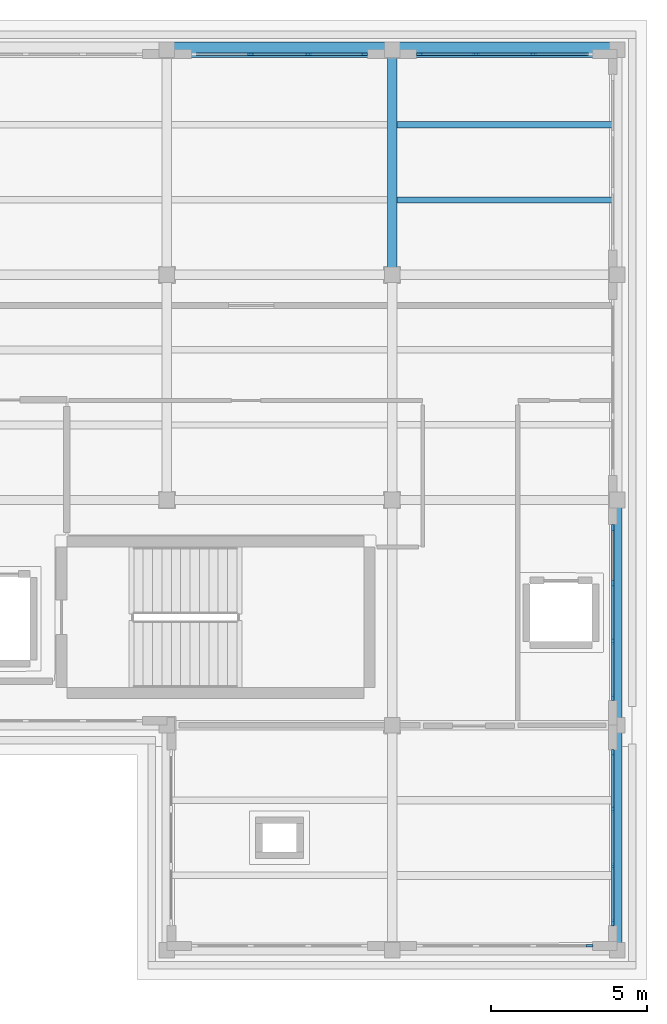
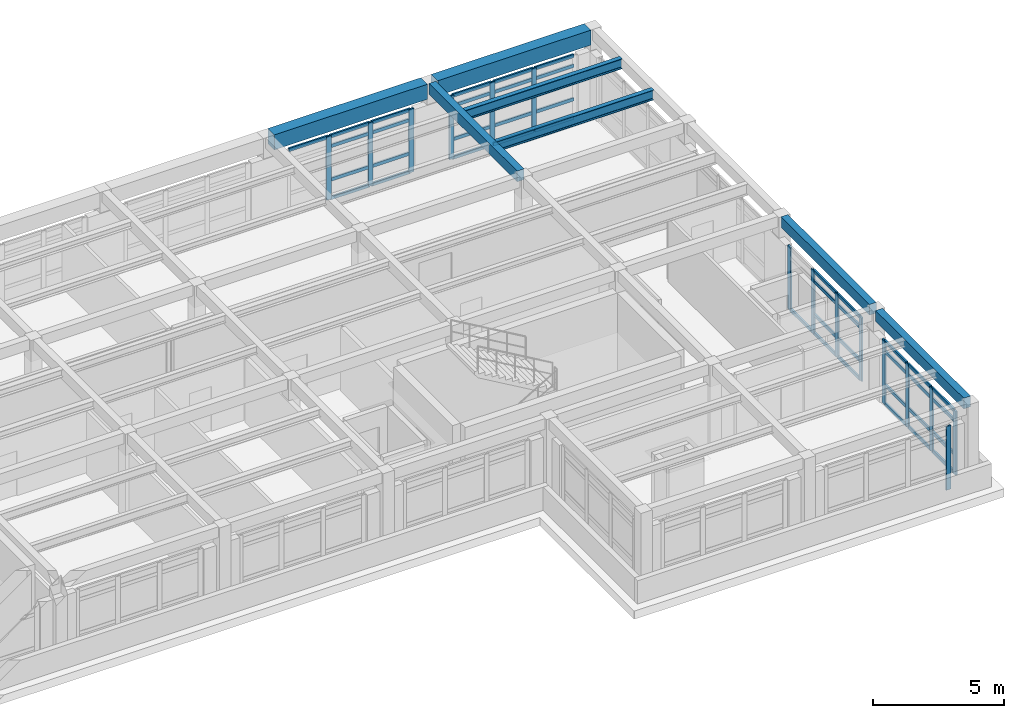
# One storey, part 8 of 18: 57 members, 7 beams, 5 elements without a shape of their own.
"""IFC4 building model written with IfcOpenShell, lengths in metres."""

from ifc_helpers import new_model, si_unit, direction, frame, origin, origin_2d, place, context, subcontext, project, spatial, rectangle, i_section, extrude, material, layer, layer_set, material_profile, profile_set, type_object, element, aggregate, save


model = new_model("IFC4")

# Units and contexts
model_context = context("Model", 3, precision=1e-05, world=origin(), true_north=direction((0.0, 1.0)))
body_context = subcontext(model_context, "Body", "Model", "MODEL_VIEW")
ifc_project = project(units=[si_unit("LENGTHUNIT", "METRE"), si_unit("AREAUNIT", "SQUARE_METRE"), si_unit("VOLUMEUNIT", "CUBIC_METRE"), si_unit("PLANEANGLEUNIT", "RADIAN"), si_unit("MASSUNIT", "GRAM", prefix="KILO")], contexts=[model_context])

# Site, building, storey
site_placement = place(None, origin())
site = spatial("IfcSite", under=ifc_project, at=site_placement, CompositionType="ELEMENT")
building_placement = place(site_placement, origin())
building = spatial("IfcBuilding", under=site, at=building_placement, Name="Solenvale Faculty of Natural Sciences", CompositionType="ELEMENT")
storey_placement = place(building_placement, frame((0.0, 0.0, 39.60009765625)))
storey = spatial("IfcBuildingStorey", under=building, at=storey_placement, Name="L09", CompositionType="ELEMENT", Elevation=39.60009765625)

# Beams
ifc_material_1 = material(Name="Concrete 40 MPa", Category="concrete")
ifc_material_profile_1 = material_profile(ifc_material_1, rectangle(XDim=0.300048828125, YDim=0.5, at=origin_2d()), Name="RC-BM-300x500")
ifc_profile_set_1 = profile_set([ifc_material_profile_1], Name="Concrete 40 MPa")
beam_type_1 = type_object("IfcBeamType", Name="BM-RC-300x500", PredefinedType="BEAM", material=ifc_profile_set_1)
beam_1_placement = place(storey_placement, frame((144.0, 108.22998046875, 3.669921875), z_axis=(0.0, 1.0, 0.0), x_axis=(-1.0, 0.0, 0.0)))
element("IfcBeam", 1, at=beam_1_placement, inside=storey, type_object=beam_type_1, Name="L09 Y-Girder X144.0 (108.0..115.2)", PredefinedType="BEAM", context=body_context, shape_type="SweptSolid", body=[
    extrude(rectangle(XDim=0.300048828125, YDim=0.5, at=origin_2d()), origin(), (0.0, 0.0, 1.0), 6.739990234375),
])
beam_2_placement = place(storey_placement, frame((151.199951171875, 86.6298828125, 3.669921875), z_axis=(0.0, 1.0, 0.0), x_axis=(-1.0, 0.0, 0.0)))
element("IfcBeam", 2, at=beam_2_placement, inside=storey, type_object=beam_type_1, Name="L09 Y-Girder X151.2 (86.4..93.6)", PredefinedType="BEAM", context=body_context, shape_type="SweptSolid", body=[
    extrude(rectangle(XDim=0.300048828125, YDim=0.5, at=origin_2d()), origin(), (0.0, 0.0, 1.0), 6.740234375),
])
beam_3_placement = place(storey_placement, frame((151.199951171875, 93.830078125, 3.669921875), z_axis=(0.0, 1.0, 0.0), x_axis=(-1.0, 0.0, 0.0)))
element("IfcBeam", 3, at=beam_3_placement, inside=storey, type_object=beam_type_1, Name="L09 Y-Girder X151.2 (93.6..100.8)", PredefinedType="BEAM", context=body_context, shape_type="SweptSolid", body=[
    extrude(rectangle(XDim=0.300048828125, YDim=0.5, at=origin_2d()), origin(), (0.0, 0.0, 1.0), 6.739990234375),
])
ifc_material_2 = material(Name="Precast concrete 40 MPa", Category="concrete")
ifc_material_profile_2 = material_profile(ifc_material_2, rectangle(XDim=0.5, YDim=0.699951171875, at=origin_2d()), Name="RC-BM-500x700")
ifc_profile_set_2 = profile_set([ifc_material_profile_2], Name="Precast concrete 40 MPa")
beam_type_2 = type_object("IfcBeamType", Name="BM-SPN-PRC-700", PredefinedType="SPANDREL", material=ifc_profile_set_2)
for number, where, z_axis, x_axis, name in (
    (4, (137.030029296875, 115.199951171875, 3.56982421875), (1.0, 0.0, 0.0), (0.0, 1.0, 0.0), "L09 X-Girder Y115.2 (136.8..144.0)"),
    (5, (144.22998046875, 115.199951171875, 3.56982421875), (1.0, 0.0, 0.0), (0.0, 1.0, 0.0), "L09 X-Girder Y115.2 (144.0..151.2)"),
):
    element("IfcBeam", number, at=place(storey_placement, frame(where, z_axis=z_axis, x_axis=x_axis)), inside=storey, type_object=beam_type_2, Name=name, PredefinedType="SPANDREL", context=body_context, shape_type="SweptSolid", body=[
        extrude(rectangle(XDim=0.5, YDim=0.699951171875, at=origin_2d()), origin(), (0.0, 0.0, 1.0), 6.739990234375),
    ])
ifc_material_3 = material(Name="Steel S355", Category="steel")
ifc_material_profile_3 = material_profile(ifc_material_3, i_section(OverallWidth=0.194091796875, OverallDepth=0.468994140625, WebThickness=0.0126953125, FlangeThickness=0.0205078125, FilletRadius=0.01806640625, at=origin_2d()), Name="W460x106")
ifc_profile_set_3 = profile_set([ifc_material_profile_3], Name="Steel S355")
beam_type_3 = type_object("IfcBeamType", Name="BM-STL-W460x106", PredefinedType="JOIST", material=ifc_profile_set_3)
for number, where, z_axis, x_axis, name in (
    (6, (144.1298828125, 110.39990234375, 3.685302734375), (1.0, 0.0, 0.0), (0.0, 1.0, 0.0), "L09 Composite Floor Joist (21,16).1"),
    (7, (144.1298828125, 112.800048828125, 3.685302734375), (1.0, 0.0, 0.0), (0.0, 1.0, 0.0), "L09 Composite Floor Joist (21,16).2"),
):
    element("IfcBeam", number, at=place(storey_placement, frame(where, z_axis=z_axis, x_axis=x_axis)), inside=storey, type_object=beam_type_3, Name=name, PredefinedType="JOIST", context=body_context, shape_type="SweptSolid", body=[
        extrude(i_section(OverallWidth=0.194091796875, OverallDepth=0.468994140625, WebThickness=0.0126953125, FlangeThickness=0.0205078125, FilletRadius=0.01806640625, at=origin_2d()), origin(), (0.0, 0.0, 1.0), 6.940185546875),
    ])

# Curtain wall, members
ifc_material_4 = material(Name="Anodised bronze aluminium", Category="aluminium")
ifc_layer = layer(ifc_material_4, 0.179931640625)
ifc_layer_set = layer_set([ifc_layer], Name="Anodised bronze aluminium")
curtain_wall_type = type_object("IfcCurtainWallType", Name="CW-TWR-MOD", PredefinedType="USERDEFINED", material=ifc_layer_set)
curtain_wall_1_placement = place(storey_placement, origin())
curtain_wall_1 = element("IfcCurtainWall", 8, at=curtain_wall_1_placement, inside=storey, type_object=curtain_wall_type, Name="L09 Curtain Wall CW-L09-P1-E1-B1", ObjectType="UNITISED CURTAIN WALL", PredefinedType="USERDEFINED")
ifc_material_profile_4 = material_profile(ifc_material_4, rectangle(XDim=0.074951171875, YDim=0.2099609375, at=origin_2d()), Name="ALU-MUL-75x210")
ifc_profile_set_4 = profile_set([ifc_material_profile_4], Name="Anodised bronze aluminium")
member_type_1 = type_object("IfcMemberType", Name="CWM-ALU-75x210", PredefinedType="MULLION", material=ifc_profile_set_4)
member_1_placement = place(storey_placement, frame((151.0576171875, 94.487548828125, 0.0), z_axis=(0.0, 0.0, 1.0), x_axis=(-1.0, 0.0, 0.0)))
member_1 = element("IfcMember", 9, at=member_1_placement, type_object=member_type_1, Name="CW-04 mullion 1", PredefinedType="MULLION", context=body_context, shape_type="SweptSolid", body=[
    extrude(rectangle(XDim=0.074951171875, YDim=0.2099609375, at=origin_2d()), origin(), (0.0, 0.0, 1.0), 2.9599609375),
])
member_2_placement = place(storey_placement, frame((151.0576171875, 96.283447265625, 0.0), z_axis=(0.0, 0.0, 1.0), x_axis=(-1.0, 0.0, 0.0)))
member_2 = element("IfcMember", 10, at=member_2_placement, type_object=member_type_1, Name="CW-04 mullion 2", PredefinedType="MULLION", context=body_context, shape_type="SweptSolid", body=[
    extrude(rectangle(XDim=0.074951171875, YDim=0.2099609375, at=origin_2d()), origin(), (0.0, 0.0, 1.0), 2.9599609375),
])
member_3_placement = place(storey_placement, frame((151.0576171875, 98.11669921875, 0.0), z_axis=(0.0, 0.0, 1.0), x_axis=(-1.0, 0.0, 0.0)))
member_3 = element("IfcMember", 11, at=member_3_placement, type_object=member_type_1, Name="CW-04 mullion 3", PredefinedType="MULLION", context=body_context, shape_type="SweptSolid", body=[
    extrude(rectangle(XDim=0.074951171875, YDim=0.2099609375, at=origin_2d()), origin(), (0.0, 0.0, 1.0), 2.9599609375),
])
member_4_placement = place(storey_placement, frame((151.0576171875, 99.91259765625, 0.0), z_axis=(0.0, 0.0, 1.0), x_axis=(-1.0, 0.0, 0.0)))
member_4 = element("IfcMember", 12, at=member_4_placement, type_object=member_type_1, Name="CW-04 mullion 4", PredefinedType="MULLION", context=body_context, shape_type="SweptSolid", body=[
    extrude(rectangle(XDim=0.074951171875, YDim=0.2099609375, at=origin_2d()), origin(), (0.0, 0.0, 1.0), 2.9599609375),
])

curtain_wall_2_placement = place(storey_placement, origin())
curtain_wall_2 = element("IfcCurtainWall", 13, at=curtain_wall_2_placement, inside=storey, type_object=curtain_wall_type, Name="L09 Curtain Wall CW-L09-P1-E2-B1", ObjectType="UNITISED CURTAIN WALL", PredefinedType="USERDEFINED")
member_5_placement = place(storey_placement, frame((148.5166015625, 115.0576171875, 0.0), z_axis=(0.0, 0.0, 1.0), x_axis=(0.0, -1.0, 0.0)))
member_5 = element("IfcMember", 14, at=member_5_placement, type_object=member_type_1, Name="CW-04 mullion 2", PredefinedType="MULLION", context=body_context, shape_type="SweptSolid", body=[
    extrude(rectangle(XDim=0.074951171875, YDim=0.2099609375, at=origin_2d()), origin(), (0.0, 0.0, 1.0), 2.9599609375),
])
member_6_placement = place(storey_placement, frame((146.683349609375, 115.0576171875, 0.0), z_axis=(0.0, 0.0, 1.0), x_axis=(0.0, -1.0, 0.0)))
member_6 = element("IfcMember", 15, at=member_6_placement, type_object=member_type_1, Name="CW-04 mullion 3", PredefinedType="MULLION", context=body_context, shape_type="SweptSolid", body=[
    extrude(rectangle(XDim=0.074951171875, YDim=0.2099609375, at=origin_2d()), origin(), (0.0, 0.0, 1.0), 2.9599609375),
])
member_7_placement = place(storey_placement, frame((144.887451171875, 115.0576171875, 0.0), z_axis=(0.0, 0.0, 1.0), x_axis=(0.0, -1.0, 0.0)))
member_7 = element("IfcMember", 16, at=member_7_placement, type_object=member_type_1, Name="CW-04 mullion 4", PredefinedType="MULLION", context=body_context, shape_type="SweptSolid", body=[
    extrude(rectangle(XDim=0.074951171875, YDim=0.2099609375, at=origin_2d()), origin(), (0.0, 0.0, 1.0), 2.9599609375),
])

curtain_wall_3_placement = place(storey_placement, origin())
curtain_wall_3 = element("IfcCurtainWall", 17, at=curtain_wall_3_placement, inside=storey, type_object=curtain_wall_type, Name="L09 Curtain Wall CW-L09-P1-E2-B2", ObjectType="UNITISED CURTAIN WALL", PredefinedType="USERDEFINED")
member_8_placement = place(storey_placement, frame((143.112548828125, 115.0576171875, 0.0), z_axis=(0.0, 0.0, 1.0), x_axis=(0.0, -1.0, 0.0)))
member_8 = element("IfcMember", 18, at=member_8_placement, type_object=member_type_1, Name="CW-04 mullion 1", PredefinedType="MULLION", context=body_context, shape_type="SweptSolid", body=[
    extrude(rectangle(XDim=0.074951171875, YDim=0.2099609375, at=origin_2d()), origin(), (0.0, 0.0, 1.0), 2.9599609375),
])
member_9_placement = place(storey_placement, frame((141.316650390625, 115.0576171875, 0.0), z_axis=(0.0, 0.0, 1.0), x_axis=(0.0, -1.0, 0.0)))
member_9 = element("IfcMember", 19, at=member_9_placement, type_object=member_type_1, Name="CW-04 mullion 2", PredefinedType="MULLION", context=body_context, shape_type="SweptSolid", body=[
    extrude(rectangle(XDim=0.074951171875, YDim=0.2099609375, at=origin_2d()), origin(), (0.0, 0.0, 1.0), 2.9599609375),
])
member_10_placement = place(storey_placement, frame((139.4833984375, 115.0576171875, 0.0), z_axis=(0.0, 0.0, 1.0), x_axis=(0.0, -1.0, 0.0)))
member_10 = element("IfcMember", 20, at=member_10_placement, type_object=member_type_1, Name="CW-04 mullion 3", PredefinedType="MULLION", context=body_context, shape_type="SweptSolid", body=[
    extrude(rectangle(XDim=0.074951171875, YDim=0.2099609375, at=origin_2d()), origin(), (0.0, 0.0, 1.0), 2.9599609375),
])

# Curtain wall, member
curtain_wall_4_placement = place(storey_placement, origin())
curtain_wall_4 = element("IfcCurtainWall", 21, at=curtain_wall_4_placement, inside=storey, type_object=curtain_wall_type, Name="L09 Curtain Wall CW-L09-P1-E6-B2", ObjectType="UNITISED CURTAIN WALL", PredefinedType="USERDEFINED")
member_11_placement = place(storey_placement, frame((150.3125, 86.54248046875, 0.0), z_axis=(0.0, 0.0, 1.0), x_axis=(0.0, 1.0, 0.0)))
member_11 = element("IfcMember", 22, at=member_11_placement, type_object=member_type_1, Name="CW-04 mullion 4", PredefinedType="MULLION", context=body_context, shape_type="SweptSolid", body=[
    extrude(rectangle(XDim=0.074951171875, YDim=0.2099609375, at=origin_2d()), origin(), (0.0, 0.0, 1.0), 2.9599609375),
])
aggregate(curtain_wall_4, [member_11])

# Curtain wall, members
curtain_wall_5_placement = place(storey_placement, origin())
curtain_wall_5 = element("IfcCurtainWall", 23, at=curtain_wall_5_placement, inside=storey, type_object=curtain_wall_type, Name="L09 Curtain Wall CW-L09-P1-E7-B1", ObjectType="UNITISED CURTAIN WALL", PredefinedType="USERDEFINED")
member_12_placement = place(storey_placement, frame((151.0576171875, 87.28759765625, 0.0), z_axis=(0.0, 0.0, 1.0), x_axis=(-1.0, 0.0, 0.0)))
member_12 = element("IfcMember", 24, at=member_12_placement, type_object=member_type_1, Name="CW-04 mullion 1", PredefinedType="MULLION", context=body_context, shape_type="SweptSolid", body=[
    extrude(rectangle(XDim=0.074951171875, YDim=0.2099609375, at=origin_2d()), origin(), (0.0, 0.0, 1.0), 2.9599609375),
])
member_13_placement = place(storey_placement, frame((151.0576171875, 89.083251953125, 0.0), z_axis=(0.0, 0.0, 1.0), x_axis=(-1.0, 0.0, 0.0)))
member_13 = element("IfcMember", 25, at=member_13_placement, type_object=member_type_1, Name="CW-04 mullion 2", PredefinedType="MULLION", context=body_context, shape_type="SweptSolid", body=[
    extrude(rectangle(XDim=0.074951171875, YDim=0.2099609375, at=origin_2d()), origin(), (0.0, 0.0, 1.0), 2.9599609375),
])
member_14_placement = place(storey_placement, frame((151.0576171875, 90.916748046875, 0.0), z_axis=(0.0, 0.0, 1.0), x_axis=(-1.0, 0.0, 0.0)))
member_14 = element("IfcMember", 26, at=member_14_placement, type_object=member_type_1, Name="CW-04 mullion 3", PredefinedType="MULLION", context=body_context, shape_type="SweptSolid", body=[
    extrude(rectangle(XDim=0.074951171875, YDim=0.2099609375, at=origin_2d()), origin(), (0.0, 0.0, 1.0), 2.9599609375),
])
member_15_placement = place(storey_placement, frame((151.0576171875, 92.71240234375, 0.0), z_axis=(0.0, 0.0, 1.0), x_axis=(-1.0, 0.0, 0.0)))
member_15 = element("IfcMember", 27, at=member_15_placement, type_object=member_type_1, Name="CW-04 mullion 4", PredefinedType="MULLION", context=body_context, shape_type="SweptSolid", body=[
    extrude(rectangle(XDim=0.074951171875, YDim=0.2099609375, at=origin_2d()), origin(), (0.0, 0.0, 1.0), 2.9599609375),
])

# Member
ifc_material_profile_5 = material_profile(ifc_material_4, rectangle(XDim=0.074951171875, YDim=0.155029296875, at=origin_2d()), Name="ALU-TRN-75x155")
ifc_profile_set_5 = profile_set([ifc_material_profile_5], Name="Anodised bronze aluminium")
member_type_2 = type_object("IfcMemberType", Name="CWT-ALU-75x155", PredefinedType="USERDEFINED", material=ifc_profile_set_5)
member_16_placement = place(storey_placement, frame((151.0576171875, 94.52490234375, 0.037353515625), z_axis=(0.0, 1.0, 0.0), x_axis=(-1.0, 0.0, 0.0)))
member_16 = element("IfcMember", 28, at=member_16_placement, type_object=member_type_2, Name="CW-04 transom 1.1", ObjectType="TRANSOM", PredefinedType="USERDEFINED", context=body_context, shape_type="SweptSolid", body=[
    extrude(rectangle(XDim=0.074951171875, YDim=0.155029296875, at=origin_2d()), origin(), (0.0, 0.0, 1.0), 1.720947265625),
])

member_17_placement = place(storey_placement, frame((151.0576171875, 94.52490234375, 0.89990234375), z_axis=(0.0, 1.0, 0.0), x_axis=(-1.0, 0.0, 0.0)))
member_17 = element("IfcMember", 29, at=member_17_placement, type_object=member_type_2, Name="CW-04 transom 1.2", ObjectType="TRANSOM", PredefinedType="USERDEFINED", context=body_context, shape_type="SweptSolid", body=[
    extrude(rectangle(XDim=0.074951171875, YDim=0.155029296875, at=origin_2d()), origin(), (0.0, 0.0, 1.0), 1.720947265625),
])

member_18_placement = place(storey_placement, frame((151.0576171875, 94.52490234375, 2.4599609375), z_axis=(0.0, 1.0, 0.0), x_axis=(-1.0, 0.0, 0.0)))
member_18 = element("IfcMember", 30, at=member_18_placement, type_object=member_type_2, Name="CW-04 transom 1.3", ObjectType="TRANSOM", PredefinedType="USERDEFINED", context=body_context, shape_type="SweptSolid", body=[
    extrude(rectangle(XDim=0.074951171875, YDim=0.155029296875, at=origin_2d()), origin(), (0.0, 0.0, 1.0), 1.720947265625),
])

member_19_placement = place(storey_placement, frame((151.0576171875, 94.52490234375, 2.92236328125), z_axis=(0.0, 1.0, 0.0), x_axis=(-1.0, 0.0, 0.0)))
member_19 = element("IfcMember", 31, at=member_19_placement, type_object=member_type_2, Name="CW-04 transom 1.4", ObjectType="TRANSOM", PredefinedType="USERDEFINED", context=body_context, shape_type="SweptSolid", body=[
    extrude(rectangle(XDim=0.074951171875, YDim=0.155029296875, at=origin_2d()), origin(), (0.0, 0.0, 1.0), 1.720947265625),
])

member_20_placement = place(storey_placement, frame((151.0576171875, 96.32080078125, 0.037353515625), z_axis=(0.0, 1.0, 0.0), x_axis=(-1.0, 0.0, 0.0)))
member_20 = element("IfcMember", 32, at=member_20_placement, type_object=member_type_2, Name="CW-04 transom 2.1", ObjectType="TRANSOM", PredefinedType="USERDEFINED", context=body_context, shape_type="SweptSolid", body=[
    extrude(rectangle(XDim=0.074951171875, YDim=0.155029296875, at=origin_2d()), origin(), (0.0, 0.0, 1.0), 1.75830078125),
])

member_21_placement = place(storey_placement, frame((151.0576171875, 96.32080078125, 0.89990234375), z_axis=(0.0, 1.0, 0.0), x_axis=(-1.0, 0.0, 0.0)))
member_21 = element("IfcMember", 33, at=member_21_placement, type_object=member_type_2, Name="CW-04 transom 2.2", ObjectType="TRANSOM", PredefinedType="USERDEFINED", context=body_context, shape_type="SweptSolid", body=[
    extrude(rectangle(XDim=0.074951171875, YDim=0.155029296875, at=origin_2d()), origin(), (0.0, 0.0, 1.0), 1.75830078125),
])

member_22_placement = place(storey_placement, frame((151.0576171875, 96.32080078125, 2.4599609375), z_axis=(0.0, 1.0, 0.0), x_axis=(-1.0, 0.0, 0.0)))
member_22 = element("IfcMember", 34, at=member_22_placement, type_object=member_type_2, Name="CW-04 transom 2.3", ObjectType="TRANSOM", PredefinedType="USERDEFINED", context=body_context, shape_type="SweptSolid", body=[
    extrude(rectangle(XDim=0.074951171875, YDim=0.155029296875, at=origin_2d()), origin(), (0.0, 0.0, 1.0), 1.75830078125),
])

member_23_placement = place(storey_placement, frame((151.0576171875, 96.32080078125, 2.92236328125), z_axis=(0.0, 1.0, 0.0), x_axis=(-1.0, 0.0, 0.0)))
member_23 = element("IfcMember", 35, at=member_23_placement, type_object=member_type_2, Name="CW-04 transom 2.4", ObjectType="TRANSOM", PredefinedType="USERDEFINED", context=body_context, shape_type="SweptSolid", body=[
    extrude(rectangle(XDim=0.074951171875, YDim=0.155029296875, at=origin_2d()), origin(), (0.0, 0.0, 1.0), 1.75830078125),
])

member_24_placement = place(storey_placement, frame((151.0576171875, 98.154052734375, 0.037353515625), z_axis=(0.0, 1.0, 0.0), x_axis=(-1.0, 0.0, 0.0)))
member_24 = element("IfcMember", 36, at=member_24_placement, type_object=member_type_2, Name="CW-04 transom 3.1", ObjectType="TRANSOM", PredefinedType="USERDEFINED", context=body_context, shape_type="SweptSolid", body=[
    extrude(rectangle(XDim=0.074951171875, YDim=0.155029296875, at=origin_2d()), origin(), (0.0, 0.0, 1.0), 1.720947265625),
])

aggregate(curtain_wall_1, [member_1, member_2, member_3, member_4, member_16, member_17, member_18, member_19, member_20, member_21, member_22, member_23, member_24])

member_25_placement = place(storey_placement, frame((150.27490234375, 115.0576171875, 0.037353515625), z_axis=(-1.0, 0.0, 0.0), x_axis=(0.0, -1.0, 0.0)))
member_25 = element("IfcMember", 37, at=member_25_placement, type_object=member_type_2, Name="CW-04 transom 1.1", ObjectType="TRANSOM", PredefinedType="USERDEFINED", context=body_context, shape_type="SweptSolid", body=[
    extrude(rectangle(XDim=0.074951171875, YDim=0.155029296875, at=origin_2d()), origin(), (0.0, 0.0, 1.0), 1.720703125),
])

member_26_placement = place(storey_placement, frame((150.27490234375, 115.0576171875, 0.89990234375), z_axis=(-1.0, 0.0, 0.0), x_axis=(0.0, -1.0, 0.0)))
member_26 = element("IfcMember", 38, at=member_26_placement, type_object=member_type_2, Name="CW-04 transom 1.2", ObjectType="TRANSOM", PredefinedType="USERDEFINED", context=body_context, shape_type="SweptSolid", body=[
    extrude(rectangle(XDim=0.074951171875, YDim=0.155029296875, at=origin_2d()), origin(), (0.0, 0.0, 1.0), 1.720703125),
])

member_27_placement = place(storey_placement, frame((150.27490234375, 115.0576171875, 2.4599609375), z_axis=(-1.0, 0.0, 0.0), x_axis=(0.0, -1.0, 0.0)))
member_27 = element("IfcMember", 39, at=member_27_placement, type_object=member_type_2, Name="CW-04 transom 1.3", ObjectType="TRANSOM", PredefinedType="USERDEFINED", context=body_context, shape_type="SweptSolid", body=[
    extrude(rectangle(XDim=0.074951171875, YDim=0.155029296875, at=origin_2d()), origin(), (0.0, 0.0, 1.0), 1.720703125),
])

member_28_placement = place(storey_placement, frame((150.27490234375, 115.0576171875, 2.92236328125), z_axis=(-1.0, 0.0, 0.0), x_axis=(0.0, -1.0, 0.0)))
member_28 = element("IfcMember", 40, at=member_28_placement, type_object=member_type_2, Name="CW-04 transom 1.4", ObjectType="TRANSOM", PredefinedType="USERDEFINED", context=body_context, shape_type="SweptSolid", body=[
    extrude(rectangle(XDim=0.074951171875, YDim=0.155029296875, at=origin_2d()), origin(), (0.0, 0.0, 1.0), 1.720703125),
])

member_29_placement = place(storey_placement, frame((148.479248046875, 115.0576171875, 0.037353515625), z_axis=(-1.0, 0.0, 0.0), x_axis=(0.0, -1.0, 0.0)))
member_29 = element("IfcMember", 41, at=member_29_placement, type_object=member_type_2, Name="CW-04 transom 2.1", ObjectType="TRANSOM", PredefinedType="USERDEFINED", context=body_context, shape_type="SweptSolid", body=[
    extrude(rectangle(XDim=0.074951171875, YDim=0.155029296875, at=origin_2d()), origin(), (0.0, 0.0, 1.0), 1.75830078125),
])

member_30_placement = place(storey_placement, frame((148.479248046875, 115.0576171875, 0.89990234375), z_axis=(-1.0, 0.0, 0.0), x_axis=(0.0, -1.0, 0.0)))
member_30 = element("IfcMember", 42, at=member_30_placement, type_object=member_type_2, Name="CW-04 transom 2.2", ObjectType="TRANSOM", PredefinedType="USERDEFINED", context=body_context, shape_type="SweptSolid", body=[
    extrude(rectangle(XDim=0.074951171875, YDim=0.155029296875, at=origin_2d()), origin(), (0.0, 0.0, 1.0), 1.75830078125),
])

member_31_placement = place(storey_placement, frame((148.479248046875, 115.0576171875, 2.4599609375), z_axis=(-1.0, 0.0, 0.0), x_axis=(0.0, -1.0, 0.0)))
member_31 = element("IfcMember", 43, at=member_31_placement, type_object=member_type_2, Name="CW-04 transom 2.3", ObjectType="TRANSOM", PredefinedType="USERDEFINED", context=body_context, shape_type="SweptSolid", body=[
    extrude(rectangle(XDim=0.074951171875, YDim=0.155029296875, at=origin_2d()), origin(), (0.0, 0.0, 1.0), 1.75830078125),
])

member_32_placement = place(storey_placement, frame((148.479248046875, 115.0576171875, 2.92236328125), z_axis=(-1.0, 0.0, 0.0), x_axis=(0.0, -1.0, 0.0)))
member_32 = element("IfcMember", 44, at=member_32_placement, type_object=member_type_2, Name="CW-04 transom 2.4", ObjectType="TRANSOM", PredefinedType="USERDEFINED", context=body_context, shape_type="SweptSolid", body=[
    extrude(rectangle(XDim=0.074951171875, YDim=0.155029296875, at=origin_2d()), origin(), (0.0, 0.0, 1.0), 1.75830078125),
])

member_33_placement = place(storey_placement, frame((146.645751953125, 115.0576171875, 0.037353515625), z_axis=(-1.0, 0.0, 0.0), x_axis=(0.0, -1.0, 0.0)))
member_33 = element("IfcMember", 45, at=member_33_placement, type_object=member_type_2, Name="CW-04 transom 3.1", ObjectType="TRANSOM", PredefinedType="USERDEFINED", context=body_context, shape_type="SweptSolid", body=[
    extrude(rectangle(XDim=0.074951171875, YDim=0.155029296875, at=origin_2d()), origin(), (0.0, 0.0, 1.0), 1.720703125),
])

member_34_placement = place(storey_placement, frame((146.645751953125, 115.0576171875, 0.89990234375), z_axis=(-1.0, 0.0, 0.0), x_axis=(0.0, -1.0, 0.0)))
member_34 = element("IfcMember", 46, at=member_34_placement, type_object=member_type_2, Name="CW-04 transom 3.2", ObjectType="TRANSOM", PredefinedType="USERDEFINED", context=body_context, shape_type="SweptSolid", body=[
    extrude(rectangle(XDim=0.074951171875, YDim=0.155029296875, at=origin_2d()), origin(), (0.0, 0.0, 1.0), 1.720703125),
])

member_35_placement = place(storey_placement, frame((146.645751953125, 115.0576171875, 2.4599609375), z_axis=(-1.0, 0.0, 0.0), x_axis=(0.0, -1.0, 0.0)))
member_35 = element("IfcMember", 47, at=member_35_placement, type_object=member_type_2, Name="CW-04 transom 3.3", ObjectType="TRANSOM", PredefinedType="USERDEFINED", context=body_context, shape_type="SweptSolid", body=[
    extrude(rectangle(XDim=0.074951171875, YDim=0.155029296875, at=origin_2d()), origin(), (0.0, 0.0, 1.0), 1.720703125),
])

member_36_placement = place(storey_placement, frame((146.645751953125, 115.0576171875, 2.92236328125), z_axis=(-1.0, 0.0, 0.0), x_axis=(0.0, -1.0, 0.0)))
member_36 = element("IfcMember", 48, at=member_36_placement, type_object=member_type_2, Name="CW-04 transom 3.4", ObjectType="TRANSOM", PredefinedType="USERDEFINED", context=body_context, shape_type="SweptSolid", body=[
    extrude(rectangle(XDim=0.074951171875, YDim=0.155029296875, at=origin_2d()), origin(), (0.0, 0.0, 1.0), 1.720703125),
])

aggregate(curtain_wall_2, [member_5, member_6, member_7, member_25, member_26, member_27, member_28, member_29, member_30, member_31, member_32, member_33, member_34, member_35, member_36])

member_37_placement = place(storey_placement, frame((143.074951171875, 115.0576171875, 0.037353515625), z_axis=(-1.0, 0.0, 0.0), x_axis=(0.0, -1.0, 0.0)))
member_37 = element("IfcMember", 49, at=member_37_placement, type_object=member_type_2, Name="CW-04 transom 1.1", ObjectType="TRANSOM", PredefinedType="USERDEFINED", context=body_context, shape_type="SweptSolid", body=[
    extrude(rectangle(XDim=0.074951171875, YDim=0.155029296875, at=origin_2d()), origin(), (0.0, 0.0, 1.0), 1.720703125),
])

member_38_placement = place(storey_placement, frame((143.074951171875, 115.0576171875, 0.89990234375), z_axis=(-1.0, 0.0, 0.0), x_axis=(0.0, -1.0, 0.0)))
member_38 = element("IfcMember", 50, at=member_38_placement, type_object=member_type_2, Name="CW-04 transom 1.2", ObjectType="TRANSOM", PredefinedType="USERDEFINED", context=body_context, shape_type="SweptSolid", body=[
    extrude(rectangle(XDim=0.074951171875, YDim=0.155029296875, at=origin_2d()), origin(), (0.0, 0.0, 1.0), 1.720703125),
])

member_39_placement = place(storey_placement, frame((143.074951171875, 115.0576171875, 2.4599609375), z_axis=(-1.0, 0.0, 0.0), x_axis=(0.0, -1.0, 0.0)))
member_39 = element("IfcMember", 51, at=member_39_placement, type_object=member_type_2, Name="CW-04 transom 1.3", ObjectType="TRANSOM", PredefinedType="USERDEFINED", context=body_context, shape_type="SweptSolid", body=[
    extrude(rectangle(XDim=0.074951171875, YDim=0.155029296875, at=origin_2d()), origin(), (0.0, 0.0, 1.0), 1.720703125),
])

member_40_placement = place(storey_placement, frame((143.074951171875, 115.0576171875, 2.92236328125), z_axis=(-1.0, 0.0, 0.0), x_axis=(0.0, -1.0, 0.0)))
member_40 = element("IfcMember", 52, at=member_40_placement, type_object=member_type_2, Name="CW-04 transom 1.4", ObjectType="TRANSOM", PredefinedType="USERDEFINED", context=body_context, shape_type="SweptSolid", body=[
    extrude(rectangle(XDim=0.074951171875, YDim=0.155029296875, at=origin_2d()), origin(), (0.0, 0.0, 1.0), 1.720703125),
])

member_41_placement = place(storey_placement, frame((141.279052734375, 115.0576171875, 0.037353515625), z_axis=(-1.0, 0.0, 0.0), x_axis=(0.0, -1.0, 0.0)))
member_41 = element("IfcMember", 53, at=member_41_placement, type_object=member_type_2, Name="CW-04 transom 2.1", ObjectType="TRANSOM", PredefinedType="USERDEFINED", context=body_context, shape_type="SweptSolid", body=[
    extrude(rectangle(XDim=0.074951171875, YDim=0.155029296875, at=origin_2d()), origin(), (0.0, 0.0, 1.0), 1.75830078125),
])

member_42_placement = place(storey_placement, frame((141.279052734375, 115.0576171875, 0.89990234375), z_axis=(-1.0, 0.0, 0.0), x_axis=(0.0, -1.0, 0.0)))
member_42 = element("IfcMember", 54, at=member_42_placement, type_object=member_type_2, Name="CW-04 transom 2.2", ObjectType="TRANSOM", PredefinedType="USERDEFINED", context=body_context, shape_type="SweptSolid", body=[
    extrude(rectangle(XDim=0.074951171875, YDim=0.155029296875, at=origin_2d()), origin(), (0.0, 0.0, 1.0), 1.75830078125),
])

member_43_placement = place(storey_placement, frame((141.279052734375, 115.0576171875, 2.4599609375), z_axis=(-1.0, 0.0, 0.0), x_axis=(0.0, -1.0, 0.0)))
member_43 = element("IfcMember", 55, at=member_43_placement, type_object=member_type_2, Name="CW-04 transom 2.3", ObjectType="TRANSOM", PredefinedType="USERDEFINED", context=body_context, shape_type="SweptSolid", body=[
    extrude(rectangle(XDim=0.074951171875, YDim=0.155029296875, at=origin_2d()), origin(), (0.0, 0.0, 1.0), 1.75830078125),
])

member_44_placement = place(storey_placement, frame((141.279052734375, 115.0576171875, 2.92236328125), z_axis=(-1.0, 0.0, 0.0), x_axis=(0.0, -1.0, 0.0)))
member_44 = element("IfcMember", 56, at=member_44_placement, type_object=member_type_2, Name="CW-04 transom 2.4", ObjectType="TRANSOM", PredefinedType="USERDEFINED", context=body_context, shape_type="SweptSolid", body=[
    extrude(rectangle(XDim=0.074951171875, YDim=0.155029296875, at=origin_2d()), origin(), (0.0, 0.0, 1.0), 1.75830078125),
])

member_45_placement = place(storey_placement, frame((139.44580078125, 115.0576171875, 2.92236328125), z_axis=(-1.0, 0.0, 0.0), x_axis=(0.0, -1.0, 0.0)))
member_45 = element("IfcMember", 57, at=member_45_placement, type_object=member_type_2, Name="CW-04 transom 3.4", ObjectType="TRANSOM", PredefinedType="USERDEFINED", context=body_context, shape_type="SweptSolid", body=[
    extrude(rectangle(XDim=0.074951171875, YDim=0.155029296875, at=origin_2d()), origin(), (0.0, 0.0, 1.0), 1.720703125),
])

aggregate(curtain_wall_3, [member_8, member_9, member_10, member_37, member_38, member_39, member_40, member_41, member_42, member_43, member_44, member_45])

member_46_placement = place(storey_placement, frame((151.0576171875, 87.324951171875, 0.037353515625), z_axis=(0.0, 1.0, 0.0), x_axis=(-1.0, 0.0, 0.0)))
member_46 = element("IfcMember", 58, at=member_46_placement, type_object=member_type_2, Name="CW-04 transom 1.1", ObjectType="TRANSOM", PredefinedType="USERDEFINED", context=body_context, shape_type="SweptSolid", body=[
    extrude(rectangle(XDim=0.074951171875, YDim=0.155029296875, at=origin_2d()), origin(), (0.0, 0.0, 1.0), 1.720947265625),
])

member_47_placement = place(storey_placement, frame((151.0576171875, 87.324951171875, 0.89990234375), z_axis=(0.0, 1.0, 0.0), x_axis=(-1.0, 0.0, 0.0)))
member_47 = element("IfcMember", 59, at=member_47_placement, type_object=member_type_2, Name="CW-04 transom 1.2", ObjectType="TRANSOM", PredefinedType="USERDEFINED", context=body_context, shape_type="SweptSolid", body=[
    extrude(rectangle(XDim=0.074951171875, YDim=0.155029296875, at=origin_2d()), origin(), (0.0, 0.0, 1.0), 1.720947265625),
])

member_48_placement = place(storey_placement, frame((151.0576171875, 87.324951171875, 2.4599609375), z_axis=(0.0, 1.0, 0.0), x_axis=(-1.0, 0.0, 0.0)))
member_48 = element("IfcMember", 60, at=member_48_placement, type_object=member_type_2, Name="CW-04 transom 1.3", ObjectType="TRANSOM", PredefinedType="USERDEFINED", context=body_context, shape_type="SweptSolid", body=[
    extrude(rectangle(XDim=0.074951171875, YDim=0.155029296875, at=origin_2d()), origin(), (0.0, 0.0, 1.0), 1.720947265625),
])

member_49_placement = place(storey_placement, frame((151.0576171875, 87.324951171875, 2.92236328125), z_axis=(0.0, 1.0, 0.0), x_axis=(-1.0, 0.0, 0.0)))
member_49 = element("IfcMember", 61, at=member_49_placement, type_object=member_type_2, Name="CW-04 transom 1.4", ObjectType="TRANSOM", PredefinedType="USERDEFINED", context=body_context, shape_type="SweptSolid", body=[
    extrude(rectangle(XDim=0.074951171875, YDim=0.155029296875, at=origin_2d()), origin(), (0.0, 0.0, 1.0), 1.720947265625),
])

member_50_placement = place(storey_placement, frame((151.0576171875, 89.120849609375, 0.037353515625), z_axis=(0.0, 1.0, 0.0), x_axis=(-1.0, 0.0, 0.0)))
member_50 = element("IfcMember", 62, at=member_50_placement, type_object=member_type_2, Name="CW-04 transom 2.1", ObjectType="TRANSOM", PredefinedType="USERDEFINED", context=body_context, shape_type="SweptSolid", body=[
    extrude(rectangle(XDim=0.074951171875, YDim=0.155029296875, at=origin_2d()), origin(), (0.0, 0.0, 1.0), 1.75830078125),
])

member_51_placement = place(storey_placement, frame((151.0576171875, 89.120849609375, 0.89990234375), z_axis=(0.0, 1.0, 0.0), x_axis=(-1.0, 0.0, 0.0)))
member_51 = element("IfcMember", 63, at=member_51_placement, type_object=member_type_2, Name="CW-04 transom 2.2", ObjectType="TRANSOM", PredefinedType="USERDEFINED", context=body_context, shape_type="SweptSolid", body=[
    extrude(rectangle(XDim=0.074951171875, YDim=0.155029296875, at=origin_2d()), origin(), (0.0, 0.0, 1.0), 1.75830078125),
])

member_52_placement = place(storey_placement, frame((151.0576171875, 89.120849609375, 2.4599609375), z_axis=(0.0, 1.0, 0.0), x_axis=(-1.0, 0.0, 0.0)))
member_52 = element("IfcMember", 64, at=member_52_placement, type_object=member_type_2, Name="CW-04 transom 2.3", ObjectType="TRANSOM", PredefinedType="USERDEFINED", context=body_context, shape_type="SweptSolid", body=[
    extrude(rectangle(XDim=0.074951171875, YDim=0.155029296875, at=origin_2d()), origin(), (0.0, 0.0, 1.0), 1.75830078125),
])

member_53_placement = place(storey_placement, frame((151.0576171875, 89.120849609375, 2.92236328125), z_axis=(0.0, 1.0, 0.0), x_axis=(-1.0, 0.0, 0.0)))
member_53 = element("IfcMember", 65, at=member_53_placement, type_object=member_type_2, Name="CW-04 transom 2.4", ObjectType="TRANSOM", PredefinedType="USERDEFINED", context=body_context, shape_type="SweptSolid", body=[
    extrude(rectangle(XDim=0.074951171875, YDim=0.155029296875, at=origin_2d()), origin(), (0.0, 0.0, 1.0), 1.75830078125),
])

member_54_placement = place(storey_placement, frame((151.0576171875, 90.9541015625, 0.037353515625), z_axis=(0.0, 1.0, 0.0), x_axis=(-1.0, 0.0, 0.0)))
member_54 = element("IfcMember", 66, at=member_54_placement, type_object=member_type_2, Name="CW-04 transom 3.1", ObjectType="TRANSOM", PredefinedType="USERDEFINED", context=body_context, shape_type="SweptSolid", body=[
    extrude(rectangle(XDim=0.074951171875, YDim=0.155029296875, at=origin_2d()), origin(), (0.0, 0.0, 1.0), 1.720947265625),
])

member_55_placement = place(storey_placement, frame((151.0576171875, 90.9541015625, 0.89990234375), z_axis=(0.0, 1.0, 0.0), x_axis=(-1.0, 0.0, 0.0)))
member_55 = element("IfcMember", 67, at=member_55_placement, type_object=member_type_2, Name="CW-04 transom 3.2", ObjectType="TRANSOM", PredefinedType="USERDEFINED", context=body_context, shape_type="SweptSolid", body=[
    extrude(rectangle(XDim=0.074951171875, YDim=0.155029296875, at=origin_2d()), origin(), (0.0, 0.0, 1.0), 1.720947265625),
])

member_56_placement = place(storey_placement, frame((151.0576171875, 90.9541015625, 2.4599609375), z_axis=(0.0, 1.0, 0.0), x_axis=(-1.0, 0.0, 0.0)))
member_56 = element("IfcMember", 68, at=member_56_placement, type_object=member_type_2, Name="CW-04 transom 3.3", ObjectType="TRANSOM", PredefinedType="USERDEFINED", context=body_context, shape_type="SweptSolid", body=[
    extrude(rectangle(XDim=0.074951171875, YDim=0.155029296875, at=origin_2d()), origin(), (0.0, 0.0, 1.0), 1.720947265625),
])

member_57_placement = place(storey_placement, frame((151.0576171875, 90.9541015625, 2.92236328125), z_axis=(0.0, 1.0, 0.0), x_axis=(-1.0, 0.0, 0.0)))
member_57 = element("IfcMember", 69, at=member_57_placement, type_object=member_type_2, Name="CW-04 transom 3.4", ObjectType="TRANSOM", PredefinedType="USERDEFINED", context=body_context, shape_type="SweptSolid", body=[
    extrude(rectangle(XDim=0.074951171875, YDim=0.155029296875, at=origin_2d()), origin(), (0.0, 0.0, 1.0), 1.720947265625),
])

aggregate(curtain_wall_5, [member_12, member_13, member_14, member_15, member_46, member_47, member_48, member_49, member_50, member_51, member_52, member_53, member_54, member_55, member_56, member_57])

save(model, "model.ifc")
